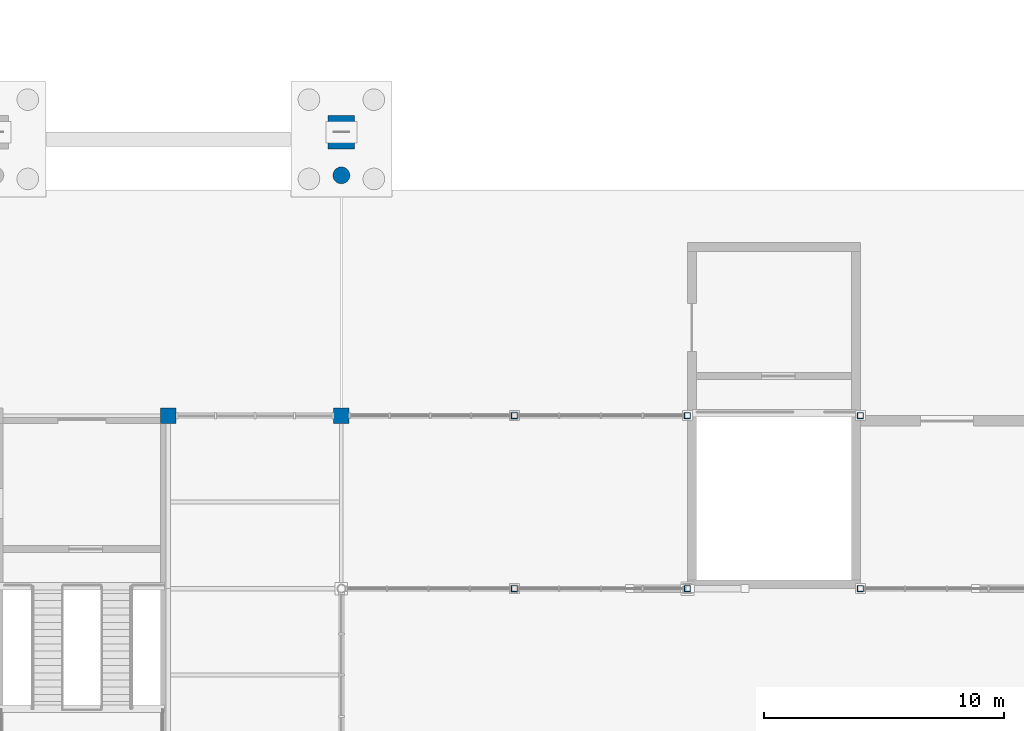
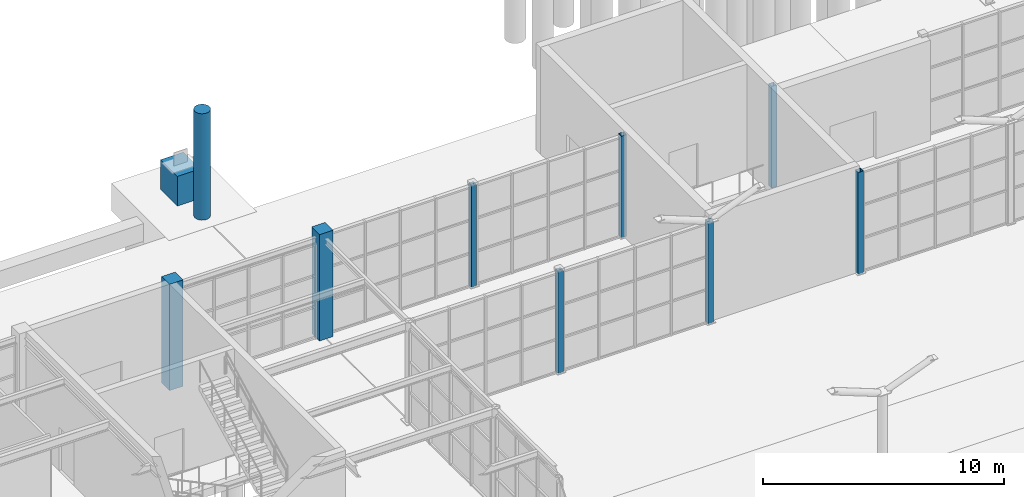
# One storey, part 13 of 75: 10 columns.
"""IFC4 building model written with IfcOpenShell, lengths in metres."""

from ifc_helpers import new_model, si_unit, direction, frame, origin, origin_2d, place, context, subcontext, project, spatial, rectangle, hollow_rectangle, circle, extrude, material, material_profile, profile_set, type_object, element, save


model = new_model("IFC4")

# Units and contexts
model_context = context("Model", 3, precision=1e-05, world=origin(), true_north=direction((0.0, 1.0)))
body_context = subcontext(model_context, "Body", "Model", "MODEL_VIEW")
ifc_project = project(units=[si_unit("LENGTHUNIT", "METRE"), si_unit("AREAUNIT", "SQUARE_METRE"), si_unit("VOLUMEUNIT", "CUBIC_METRE"), si_unit("PLANEANGLEUNIT", "RADIAN"), si_unit("MASSUNIT", "GRAM", prefix="KILO")], contexts=[model_context])

# Site, building, storey
site_placement = place(None, origin())
site = spatial("IfcSite", under=ifc_project, at=site_placement, CompositionType="ELEMENT")
building_placement = place(site_placement, origin())
building = spatial("IfcBuilding", under=site, at=building_placement, Name="Leyfeld Transit Interchange", CompositionType="ELEMENT")
storey_placement = place(building_placement, origin())
storey = spatial("IfcBuildingStorey", under=building, at=storey_placement, Name="L00", CompositionType="ELEMENT", Elevation=0.0)

# Columns
ifc_material_1 = material(Name="Concrete C40/50", Category="concrete")
ifc_material_profile_1 = material_profile(ifc_material_1, rectangle(XDim=1.10009765625, YDim=1.39990234375, at=origin_2d()), Name="RC 1400x1100")
ifc_profile_set_1 = profile_set([ifc_material_profile_1], Name="Concrete C40/50")
column_type_1 = type_object("IfcColumnType", Name="COL-BUTT-1400", PredefinedType="COLUMN", material=ifc_profile_set_1)
column_1_placement = place(storey_placement, frame((100.800048828125, 62.199951171875, 0.0), z_axis=(0.0, 0.0, 1.0), x_axis=(1.0, 0.0, 0.0)))
element("IfcColumn", 1, at=column_1_placement, inside=storey, type_object=column_type_1, Name="Column COL-L00-1008_0622", PredefinedType="COLUMN", context=body_context, shape_type="SweptSolid", body=[
    extrude(rectangle(XDim=1.10009765625, YDim=1.39990234375, at=origin_2d()), origin(), (0.0, 0.0, 1.0), 1.5),
])
ifc_material_2 = material(Name="Concrete C35/45", Category="concrete")
ifc_material_profile_2 = material_profile(ifc_material_2, rectangle(XDim=0.64990234375, YDim=0.64990234375, at=origin_2d()), Name="RC 650x650")
ifc_profile_set_2 = profile_set([ifc_material_profile_2], Name="Concrete C35/45")
column_type_2 = type_object("IfcColumnType", Name="COL-RC-650", PredefinedType="COLUMN", material=ifc_profile_set_2)
for number, where, z_axis, x_axis, name in (
    (2, (93.60009765625, 50.39990234375, 0.0), (0.0, 0.0, 1.0), (1.0, 0.0, 0.0), "Column COL-L00-0936_0504"),
    (3, (100.800048828125, 50.39990234375, 0.0), (0.0, 0.0, 1.0), (1.0, 0.0, 0.0), "Column COL-L00-1008_0504"),
):
    element("IfcColumn", number, at=place(storey_placement, frame(where, z_axis=z_axis, x_axis=x_axis)), inside=storey, type_object=column_type_2, Name=name, PredefinedType="COLUMN", context=body_context, shape_type="SweptSolid", body=[
        extrude(rectangle(XDim=0.64990234375, YDim=0.64990234375, at=origin_2d()), origin(), (0.0, 0.0, 1.0), 5.39990234375),
    ])
ifc_material_profile_3 = material_profile(ifc_material_2, circle(Radius=0.35009765625, at=origin_2d()), Name="RC D700")
ifc_profile_set_3 = profile_set([ifc_material_profile_3], Name="Concrete C35/45")
column_type_3 = type_object("IfcColumnType", Name="COL-RC-D700", PredefinedType="COLUMN", material=ifc_profile_set_3)
column_2_placement = place(storey_placement, frame((100.800048828125, 60.39990234375, 0.0), z_axis=(0.0, 0.0, 1.0), x_axis=(1.0, 0.0, 0.0)))
element("IfcColumn", 4, at=column_2_placement, inside=storey, type_object=column_type_3, Name="Column COL-L00-1008_0604", PredefinedType="COLUMN", context=body_context, shape_type="SweptSolid", body=[
    extrude(circle(Radius=0.35009765625, at=origin_2d()), origin(), (0.0, 0.0, 1.0), 5.39990234375),
])
ifc_material_3 = material(Name="Steel S355J2", Category="steel")
ifc_material_profile_4 = material_profile(ifc_material_3, hollow_rectangle(XDim=0.25, YDim=0.25, WallThickness=0.012451171875, at=origin_2d()), Name="SHS 250x250x12.5")
ifc_profile_set_4 = profile_set([ifc_material_profile_4], Name="Steel S355J2")
column_type_4 = type_object("IfcColumnType", Name="COL-STL-SHS250", PredefinedType="COLUMN", material=ifc_profile_set_4)
for number, where, z_axis, x_axis, name in (
    (5, (108.0, 43.199951171875, 0.0), (0.0, 0.0, 1.0), (1.0, 0.0, 0.0), "Column COL-L00-1080_0432"),
    (6, (108.0, 50.39990234375, 0.0), (0.0, 0.0, 1.0), (1.0, 0.0, 0.0), "Column COL-L00-1080_0504"),
    (7, (115.199951171875, 43.199951171875, 0.0), (0.0, 0.0, 1.0), (1.0, 0.0, 0.0), "Column COL-L00-1152_0432"),
    (8, (115.199951171875, 50.39990234375, 0.0), (0.0, 0.0, 1.0), (1.0, 0.0, 0.0), "Column COL-L00-1152_0504"),
    (9, (122.39990234375, 43.199951171875, 0.0), (0.0, 0.0, 1.0), (1.0, 0.0, 0.0), "Column COL-L00-1224_0432"),
    (10, (122.39990234375, 50.39990234375, 0.0), (0.0, 0.0, 1.0), (1.0, 0.0, 0.0), "Column COL-L00-1224_0504"),
):
    element("IfcColumn", number, at=place(storey_placement, frame(where, z_axis=z_axis, x_axis=x_axis)), inside=storey, type_object=column_type_4, Name=name, PredefinedType="COLUMN", context=body_context, shape_type="SweptSolid", body=[
        extrude(hollow_rectangle(XDim=0.25, YDim=0.25, WallThickness=0.012451171875, at=origin_2d()), origin(), (0.0, 0.0, 1.0), 5.159912109375),
    ])

save(model, "model.ifc")
